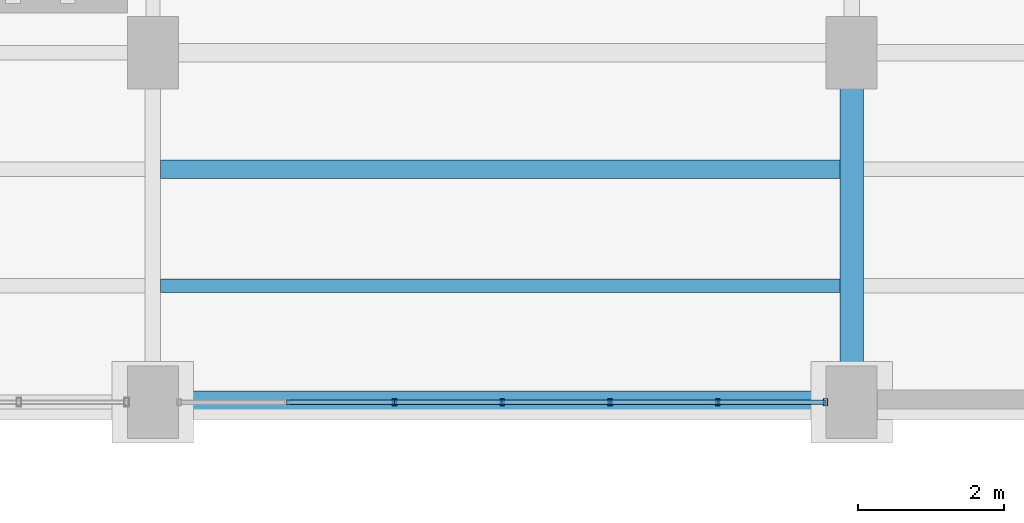
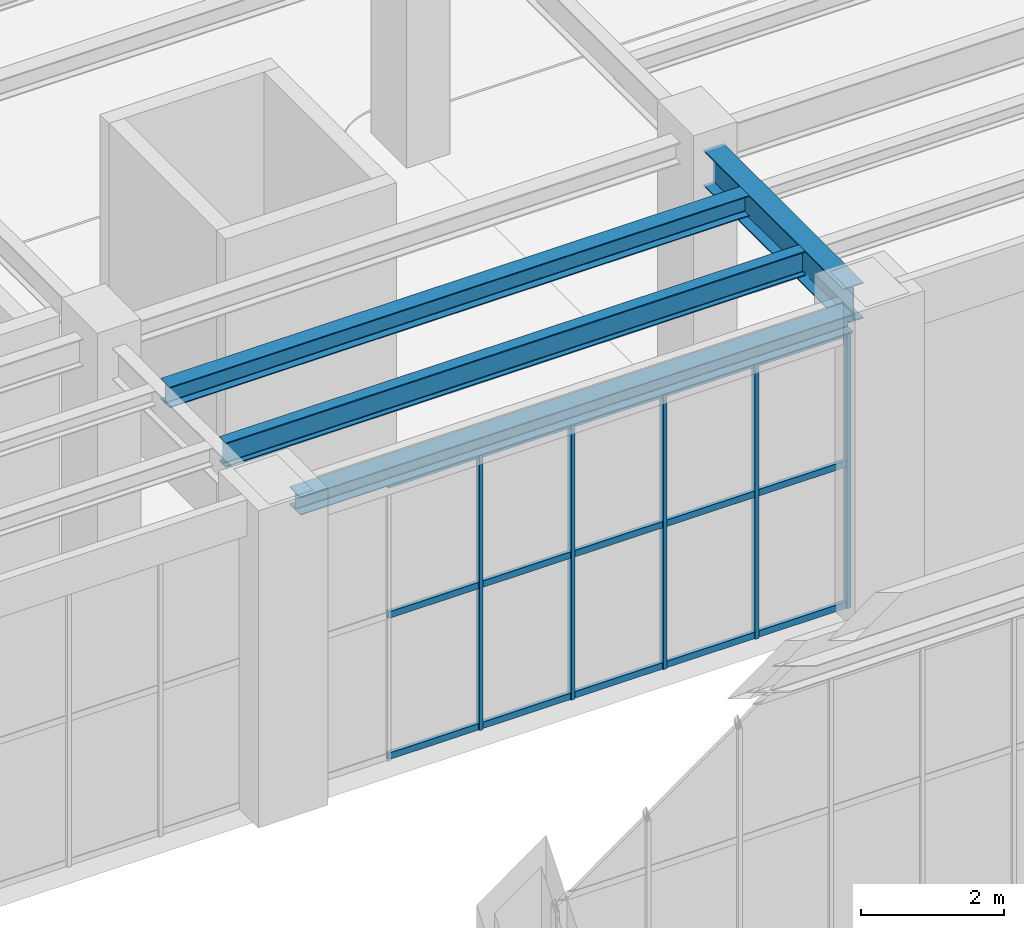
# One storey, part 56 of 164: 20 members, 4 beams, 1 element without a shape of its own.
"""IFC4 building model written with IfcOpenShell, lengths in metres."""

from ifc_helpers import new_model, si_unit, direction, frame, origin, origin_2d, place, context, subcontext, project, spatial, hollow_rectangle, i_section, extrude, material, material_profile, profile_set, type_object, element, aggregate, save


model = new_model("IFC4")

# Units and contexts
model_context = context("Model", 3, precision=1e-05, world=origin(), true_north=direction((0.0, 1.0)))
body_context = subcontext(model_context, "Body", "Model", "MODEL_VIEW")
ifc_project = project(units=[si_unit("LENGTHUNIT", "METRE"), si_unit("AREAUNIT", "SQUARE_METRE"), si_unit("VOLUMEUNIT", "CUBIC_METRE"), si_unit("PLANEANGLEUNIT", "RADIAN"), si_unit("MASSUNIT", "GRAM", prefix="KILO")], contexts=[model_context])

# Site, building, storey
site_placement = place(None, origin())
site = spatial("IfcSite", under=ifc_project, at=site_placement, CompositionType="ELEMENT")
building_placement = place(site_placement, origin())
building = spatial("IfcBuilding", under=site, at=building_placement, Name="Mavantir Sound Aquarium", CompositionType="ELEMENT")
storey_placement = place(building_placement, origin())
storey = spatial("IfcBuildingStorey", under=building, at=storey_placement, Name="L00", CompositionType="ELEMENT", Elevation=0.0)

# Beams
ifc_material_1 = material(Name="Structural Steel ASTM A992 Gr50", Category="steel")
ifc_material_profile_1 = material_profile(ifc_material_1, i_section(OverallWidth=0.304931640625, OverallDepth=0.30810546875, WebThickness=0.010009765625, FlangeThickness=0.015380859375, FilletRadius=0.014892578125, at=origin_2d()), Name="W310X97")
ifc_profile_set_1 = profile_set([ifc_material_profile_1], Name="Structural Steel ASTM A992 Gr50")
beam_type_1 = type_object("IfcBeamType", Name="BM-W310X97-E", PredefinedType="SPANDREL", material=ifc_profile_set_1)
beam_1_placement = place(storey_placement, frame((117.949951171875, 36.0, 4.912109375), z_axis=(1.0, 0.0, 0.0), x_axis=(0.0, 1.0, 0.0)))
element("IfcBeam", 1, at=beam_1_placement, inside=storey, type_object=beam_type_1, Name="L00 primary beam SS-31A 925", PredefinedType="SPANDREL", context=body_context, shape_type="SweptSolid", body=[
    extrude(i_section(OverallWidth=0.304931640625, OverallDepth=0.30810546875, WebThickness=0.010009765625, FlangeThickness=0.015380859375, FilletRadius=0.014892578125, at=origin_2d()), origin(), (0.0, 0.0, 1.0), 8.900146484375),
])
ifc_material_profile_2 = material_profile(ifc_material_1, i_section(OverallWidth=0.25390625, OverallDepth=0.35302734375, WebThickness=0.009521484375, FlangeThickness=0.016357421875, FilletRadius=0.014892578125, at=origin_2d()), Name="W360X91")
ifc_profile_set_2 = profile_set([ifc_material_profile_2], Name="Structural Steel ASTM A992 Gr50")
beam_type_2 = type_object("IfcBeamType", Name="BM-W360X91-I", PredefinedType="JOIST", material=ifc_profile_set_2)
beam_2_placement = place(storey_placement, frame((117.7060546875, 39.199951171875, 4.889404296875), z_axis=(1.0, 0.0, 0.0), x_axis=(0.0, 1.0, 0.0)))
element("IfcBeam", 2, at=beam_2_placement, inside=storey, type_object=beam_type_2, Name="L00 secondary floor joist SJ-36 510", PredefinedType="JOIST", context=body_context, shape_type="SweptSolid", body=[
    extrude(i_section(OverallWidth=0.25390625, OverallDepth=0.35302734375, WebThickness=0.009521484375, FlangeThickness=0.016357421875, FilletRadius=0.014892578125, at=origin_2d()), origin(), (0.0, 0.0, 1.0), 9.33203125),
])
ifc_material_profile_3 = material_profile(ifc_material_1, i_section(OverallWidth=0.180908203125, OverallDepth=0.4169921875, WebThickness=0.010986328125, FlangeThickness=0.018310546875, FilletRadius=0.014892578125, at=origin_2d()), Name="W410X85")
ifc_profile_set_3 = profile_set([ifc_material_profile_3], Name="Structural Steel ASTM A992 Gr50")
beam_type_3 = type_object("IfcBeamType", Name="BM-W410X85-I", PredefinedType="JOIST", material=ifc_profile_set_3)
beam_3_placement = place(storey_placement, frame((117.7060546875, 37.60009765625, 4.857421875), z_axis=(1.0, 0.0, 0.0), x_axis=(0.0, 1.0, 0.0)))
element("IfcBeam", 3, at=beam_3_placement, inside=storey, type_object=beam_type_3, Name="L00 secondary floor joist SJ-41 509", PredefinedType="JOIST", context=body_context, shape_type="SweptSolid", body=[
    extrude(i_section(OverallWidth=0.180908203125, OverallDepth=0.4169921875, WebThickness=0.010986328125, FlangeThickness=0.018310546875, FilletRadius=0.014892578125, at=origin_2d()), origin(), (0.0, 0.0, 1.0), 9.33203125),
])
ifc_material_profile_4 = material_profile(ifc_material_1, i_section(OverallWidth=0.323974609375, OverallDepth=0.611083984375, WebThickness=0.0126953125, FlangeThickness=0.01904296875, FilletRadius=0.01904296875, at=origin_2d()), Name="W610X155")
ifc_profile_set_4 = profile_set([ifc_material_profile_4], Name="Structural Steel ASTM A992 Gr50")
beam_type_4 = type_object("IfcBeamType", Name="BM-W610X155-I", PredefinedType="BEAM", material=ifc_profile_set_4)
beam_4_placement = place(storey_placement, frame((127.199951171875, 36.449951171875, 4.760498046875), z_axis=(0.0, 1.0, 0.0), x_axis=(-1.0, 0.0, 0.0)))
element("IfcBeam", 4, at=beam_4_placement, inside=storey, type_object=beam_type_4, Name="L00 primary girder SB-61A 985", PredefinedType="BEAM", context=body_context, shape_type="SweptSolid", body=[
    extrude(i_section(OverallWidth=0.323974609375, OverallDepth=0.611083984375, WebThickness=0.0126953125, FlangeThickness=0.01904296875, FilletRadius=0.01904296875, at=origin_2d()), origin(), (0.0, 0.0, 1.0), 3.900146484375),
])

# Curtain wall, members
ifc_material_2 = material(Name="Anodised Marine Aluminium and Low-E Glass", Category="aluminium")
curtain_wall_type = type_object("IfcCurtainWallType", Name="CW-T21", PredefinedType="USERDEFINED", material=ifc_material_2)
curtain_wall_placement = place(storey_placement, origin())
curtain_wall = element("IfcCurtainWall", 5, at=curtain_wall_placement, inside=storey, type_object=curtain_wall_type, Name="L00 unitised curtain wall CW-21 21", ObjectType="UNITISED GLAZING", PredefinedType="USERDEFINED")
ifc_material_3 = material(Name="Anodised Marine Aluminium 6063-T6", Category="aluminium")
ifc_material_profile_5 = material_profile(ifc_material_3, hollow_rectangle(XDim=0.06005859375, YDim=0.10009765625, WallThickness=0.00390625, at=origin_2d()), Name="ALU-MULLION-100X60")
ifc_profile_set_5 = profile_set([ifc_material_profile_5], Name="Anodised Marine Aluminium 6063-T6")
member_type_1 = type_object("IfcMemberType", Name="CW-MUL-100", PredefinedType="MULLION", material=ifc_profile_set_5)
member_1_placement = place(storey_placement, frame((120.919189453125, 36.0, 0.0), z_axis=(0.0, 0.0, 1.0), x_axis=(1.0, 0.0, 0.0)))
member_1 = element("IfcMember", 6, at=member_1_placement, type_object=member_type_1, Name="CW-L00-021 vertical mullion 3", PredefinedType="MULLION", context=body_context, shape_type="SweptSolid", body=[
    extrude(hollow_rectangle(XDim=0.06005859375, YDim=0.10009765625, WallThickness=0.00390625, at=origin_2d()), origin(), (0.0, 0.0, 1.0), 4.72802734375),
])
member_2_placement = place(storey_placement, frame((122.39990234375, 36.0, 0.0), z_axis=(0.0, 0.0, 1.0), x_axis=(1.0, 0.0, 0.0)))
member_2 = element("IfcMember", 7, at=member_2_placement, type_object=member_type_1, Name="CW-L00-021 vertical mullion 4", PredefinedType="MULLION", context=body_context, shape_type="SweptSolid", body=[
    extrude(hollow_rectangle(XDim=0.06005859375, YDim=0.10009765625, WallThickness=0.00390625, at=origin_2d()), origin(), (0.0, 0.0, 1.0), 4.72802734375),
])
member_3_placement = place(storey_placement, frame((123.880615234375, 36.0, 0.0), z_axis=(0.0, 0.0, 1.0), x_axis=(1.0, 0.0, 0.0)))
member_3 = element("IfcMember", 8, at=member_3_placement, type_object=member_type_1, Name="CW-L00-021 vertical mullion 5", PredefinedType="MULLION", context=body_context, shape_type="SweptSolid", body=[
    extrude(hollow_rectangle(XDim=0.06005859375, YDim=0.10009765625, WallThickness=0.00390625, at=origin_2d()), origin(), (0.0, 0.0, 1.0), 4.72802734375),
])
member_4_placement = place(storey_placement, frame((125.361328125, 36.0, 0.0), z_axis=(0.0, 0.0, 1.0), x_axis=(1.0, 0.0, 0.0)))
member_4 = element("IfcMember", 9, at=member_4_placement, type_object=member_type_1, Name="CW-L00-021 vertical mullion 6", PredefinedType="MULLION", context=body_context, shape_type="SweptSolid", body=[
    extrude(hollow_rectangle(XDim=0.06005859375, YDim=0.10009765625, WallThickness=0.00390625, at=origin_2d()), origin(), (0.0, 0.0, 1.0), 4.72802734375),
])
member_5_placement = place(storey_placement, frame((126.842041015625, 36.0, 0.0), z_axis=(0.0, 0.0, 1.0), x_axis=(1.0, 0.0, 0.0)))
member_5 = element("IfcMember", 10, at=member_5_placement, type_object=member_type_1, Name="CW-L00-021 vertical mullion 7", PredefinedType="MULLION", context=body_context, shape_type="SweptSolid", body=[
    extrude(hollow_rectangle(XDim=0.06005859375, YDim=0.10009765625, WallThickness=0.00390625, at=origin_2d()), origin(), (0.0, 0.0, 1.0), 4.72802734375),
])
ifc_material_profile_6 = material_profile(ifc_material_3, hollow_rectangle(XDim=0.06005859375, YDim=0.110107421875, WallThickness=0.00390625, at=origin_2d()), Name="ALU-TRANSOM-110X60")
ifc_profile_set_6 = profile_set([ifc_material_profile_6], Name="Anodised Marine Aluminium 6063-T6")
member_type_2 = type_object("IfcMemberType", Name="CW-TRN-110", PredefinedType="USERDEFINED", material=ifc_profile_set_6)
member_6_placement = place(storey_placement, frame((119.438720703125, 36.0, 0.054931640625), z_axis=(1.0, 0.0, 0.0), x_axis=(0.0, 1.0, 0.0)))
member_6 = element("IfcMember", 11, at=member_6_placement, type_object=member_type_2, Name="CW-L00-021 transom 2.1", ObjectType="TRANSOM", PredefinedType="USERDEFINED", context=body_context, shape_type="SweptSolid", body=[
    extrude(hollow_rectangle(XDim=0.06005859375, YDim=0.110107421875, WallThickness=0.00390625, at=origin_2d()), origin(), (0.0, 0.0, 1.0), 1.48046875),
])
member_7_placement = place(storey_placement, frame((119.438720703125, 36.0, 2.45849609375), z_axis=(1.0, 0.0, 0.0), x_axis=(0.0, 1.0, 0.0)))
member_7 = element("IfcMember", 12, at=member_7_placement, type_object=member_type_2, Name="CW-L00-021 transom 2.2", ObjectType="TRANSOM", PredefinedType="USERDEFINED", context=body_context, shape_type="SweptSolid", body=[
    extrude(hollow_rectangle(XDim=0.06005859375, YDim=0.110107421875, WallThickness=0.00390625, at=origin_2d()), origin(), (0.0, 0.0, 1.0), 1.48046875),
])
member_8_placement = place(storey_placement, frame((119.438720703125, 36.0, 4.673095703125), z_axis=(1.0, 0.0, 0.0), x_axis=(0.0, 1.0, 0.0)))
member_8 = element("IfcMember", 13, at=member_8_placement, type_object=member_type_2, Name="CW-L00-021 transom 2.3", ObjectType="TRANSOM", PredefinedType="USERDEFINED", context=body_context, shape_type="SweptSolid", body=[
    extrude(hollow_rectangle(XDim=0.06005859375, YDim=0.110107421875, WallThickness=0.00390625, at=origin_2d()), origin(), (0.0, 0.0, 1.0), 1.48046875),
])
member_9_placement = place(storey_placement, frame((120.919189453125, 36.0, 0.054931640625), z_axis=(1.0, 0.0, 0.0), x_axis=(0.0, 1.0, 0.0)))
member_9 = element("IfcMember", 14, at=member_9_placement, type_object=member_type_2, Name="CW-L00-021 transom 3.1", ObjectType="TRANSOM", PredefinedType="USERDEFINED", context=body_context, shape_type="SweptSolid", body=[
    extrude(hollow_rectangle(XDim=0.06005859375, YDim=0.110107421875, WallThickness=0.00390625, at=origin_2d()), origin(), (0.0, 0.0, 1.0), 1.480712890625),
])
member_10_placement = place(storey_placement, frame((120.919189453125, 36.0, 2.45849609375), z_axis=(1.0, 0.0, 0.0), x_axis=(0.0, 1.0, 0.0)))
member_10 = element("IfcMember", 15, at=member_10_placement, type_object=member_type_2, Name="CW-L00-021 transom 3.2", ObjectType="TRANSOM", PredefinedType="USERDEFINED", context=body_context, shape_type="SweptSolid", body=[
    extrude(hollow_rectangle(XDim=0.06005859375, YDim=0.110107421875, WallThickness=0.00390625, at=origin_2d()), origin(), (0.0, 0.0, 1.0), 1.480712890625),
])
member_11_placement = place(storey_placement, frame((120.919189453125, 36.0, 4.673095703125), z_axis=(1.0, 0.0, 0.0), x_axis=(0.0, 1.0, 0.0)))
member_11 = element("IfcMember", 16, at=member_11_placement, type_object=member_type_2, Name="CW-L00-021 transom 3.3", ObjectType="TRANSOM", PredefinedType="USERDEFINED", context=body_context, shape_type="SweptSolid", body=[
    extrude(hollow_rectangle(XDim=0.06005859375, YDim=0.110107421875, WallThickness=0.00390625, at=origin_2d()), origin(), (0.0, 0.0, 1.0), 1.480712890625),
])
member_12_placement = place(storey_placement, frame((122.39990234375, 36.0, 0.054931640625), z_axis=(1.0, 0.0, 0.0), x_axis=(0.0, 1.0, 0.0)))
member_12 = element("IfcMember", 17, at=member_12_placement, type_object=member_type_2, Name="CW-L00-021 transom 4.1", ObjectType="TRANSOM", PredefinedType="USERDEFINED", context=body_context, shape_type="SweptSolid", body=[
    extrude(hollow_rectangle(XDim=0.06005859375, YDim=0.110107421875, WallThickness=0.00390625, at=origin_2d()), origin(), (0.0, 0.0, 1.0), 1.480712890625),
])
member_13_placement = place(storey_placement, frame((122.39990234375, 36.0, 2.45849609375), z_axis=(1.0, 0.0, 0.0), x_axis=(0.0, 1.0, 0.0)))
member_13 = element("IfcMember", 18, at=member_13_placement, type_object=member_type_2, Name="CW-L00-021 transom 4.2", ObjectType="TRANSOM", PredefinedType="USERDEFINED", context=body_context, shape_type="SweptSolid", body=[
    extrude(hollow_rectangle(XDim=0.06005859375, YDim=0.110107421875, WallThickness=0.00390625, at=origin_2d()), origin(), (0.0, 0.0, 1.0), 1.480712890625),
])
member_14_placement = place(storey_placement, frame((122.39990234375, 36.0, 4.673095703125), z_axis=(1.0, 0.0, 0.0), x_axis=(0.0, 1.0, 0.0)))
member_14 = element("IfcMember", 19, at=member_14_placement, type_object=member_type_2, Name="CW-L00-021 transom 4.3", ObjectType="TRANSOM", PredefinedType="USERDEFINED", context=body_context, shape_type="SweptSolid", body=[
    extrude(hollow_rectangle(XDim=0.06005859375, YDim=0.110107421875, WallThickness=0.00390625, at=origin_2d()), origin(), (0.0, 0.0, 1.0), 1.480712890625),
])
member_15_placement = place(storey_placement, frame((123.880615234375, 36.0, 0.054931640625), z_axis=(1.0, 0.0, 0.0), x_axis=(0.0, 1.0, 0.0)))
member_15 = element("IfcMember", 20, at=member_15_placement, type_object=member_type_2, Name="CW-L00-021 transom 5.1", ObjectType="TRANSOM", PredefinedType="USERDEFINED", context=body_context, shape_type="SweptSolid", body=[
    extrude(hollow_rectangle(XDim=0.06005859375, YDim=0.110107421875, WallThickness=0.00390625, at=origin_2d()), origin(), (0.0, 0.0, 1.0), 1.480712890625),
])
member_16_placement = place(storey_placement, frame((123.880615234375, 36.0, 2.45849609375), z_axis=(1.0, 0.0, 0.0), x_axis=(0.0, 1.0, 0.0)))
member_16 = element("IfcMember", 21, at=member_16_placement, type_object=member_type_2, Name="CW-L00-021 transom 5.2", ObjectType="TRANSOM", PredefinedType="USERDEFINED", context=body_context, shape_type="SweptSolid", body=[
    extrude(hollow_rectangle(XDim=0.06005859375, YDim=0.110107421875, WallThickness=0.00390625, at=origin_2d()), origin(), (0.0, 0.0, 1.0), 1.480712890625),
])
member_17_placement = place(storey_placement, frame((123.880615234375, 36.0, 4.673095703125), z_axis=(1.0, 0.0, 0.0), x_axis=(0.0, 1.0, 0.0)))
member_17 = element("IfcMember", 22, at=member_17_placement, type_object=member_type_2, Name="CW-L00-021 transom 5.3", ObjectType="TRANSOM", PredefinedType="USERDEFINED", context=body_context, shape_type="SweptSolid", body=[
    extrude(hollow_rectangle(XDim=0.06005859375, YDim=0.110107421875, WallThickness=0.00390625, at=origin_2d()), origin(), (0.0, 0.0, 1.0), 1.480712890625),
])
member_18_placement = place(storey_placement, frame((125.361328125, 36.0, 0.054931640625), z_axis=(1.0, 0.0, 0.0), x_axis=(0.0, 1.0, 0.0)))
member_18 = element("IfcMember", 23, at=member_18_placement, type_object=member_type_2, Name="CW-L00-021 transom 6.1", ObjectType="TRANSOM", PredefinedType="USERDEFINED", context=body_context, shape_type="SweptSolid", body=[
    extrude(hollow_rectangle(XDim=0.06005859375, YDim=0.110107421875, WallThickness=0.00390625, at=origin_2d()), origin(), (0.0, 0.0, 1.0), 1.480712890625),
])
member_19_placement = place(storey_placement, frame((125.361328125, 36.0, 2.45849609375), z_axis=(1.0, 0.0, 0.0), x_axis=(0.0, 1.0, 0.0)))
member_19 = element("IfcMember", 24, at=member_19_placement, type_object=member_type_2, Name="CW-L00-021 transom 6.2", ObjectType="TRANSOM", PredefinedType="USERDEFINED", context=body_context, shape_type="SweptSolid", body=[
    extrude(hollow_rectangle(XDim=0.06005859375, YDim=0.110107421875, WallThickness=0.00390625, at=origin_2d()), origin(), (0.0, 0.0, 1.0), 1.480712890625),
])
member_20_placement = place(storey_placement, frame((125.361328125, 36.0, 4.673095703125), z_axis=(1.0, 0.0, 0.0), x_axis=(0.0, 1.0, 0.0)))
member_20 = element("IfcMember", 25, at=member_20_placement, type_object=member_type_2, Name="CW-L00-021 transom 6.3", ObjectType="TRANSOM", PredefinedType="USERDEFINED", context=body_context, shape_type="SweptSolid", body=[
    extrude(hollow_rectangle(XDim=0.06005859375, YDim=0.110107421875, WallThickness=0.00390625, at=origin_2d()), origin(), (0.0, 0.0, 1.0), 1.480712890625),
])
aggregate(curtain_wall, [member_1, member_2, member_3, member_4, member_5, member_6, member_7, member_8, member_9, member_10, member_11, member_12, member_13, member_14, member_15, member_16, member_17, member_18, member_19, member_20])

save(model, "model.ifc")
